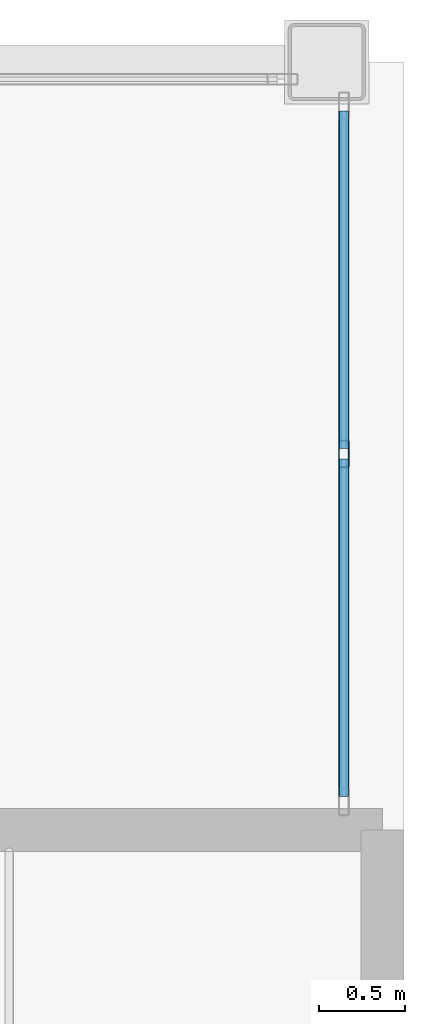
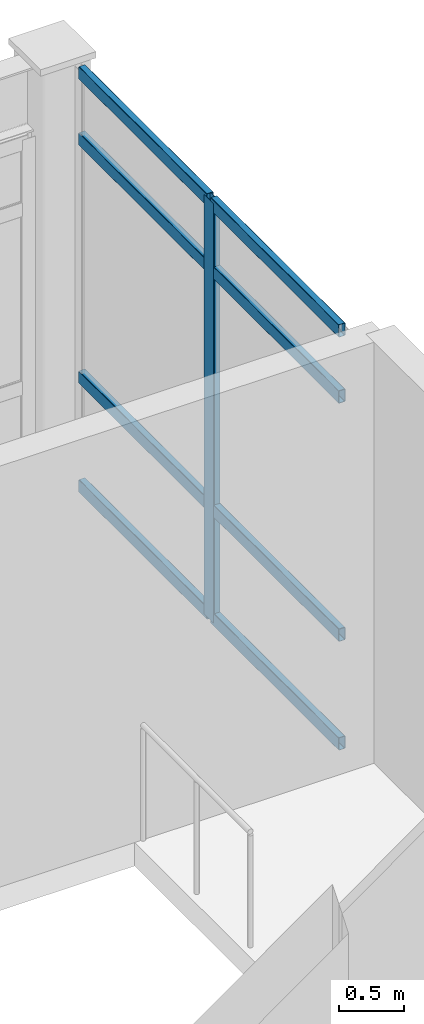
# One storey, part 24 of 34: 9 members, 1 element without a shape of its own.
"""IFC4 building model written with IfcOpenShell, lengths in metres."""

from ifc_helpers import new_model, si_unit, direction, frame, origin, origin_2d, place, context, subcontext, project, spatial, hollow_rectangle, extrude, material, layer, layer_set, material_profile, profile_set, type_object, element, aggregate, save


model = new_model("IFC4")

# Units and contexts
model_context = context("Model", 3, precision=1e-05, world=origin(), true_north=direction((0.0, 1.0)))
body_context = subcontext(model_context, "Body", "Model", "MODEL_VIEW")
ifc_project = project(units=[si_unit("LENGTHUNIT", "METRE"), si_unit("AREAUNIT", "SQUARE_METRE"), si_unit("VOLUMEUNIT", "CUBIC_METRE"), si_unit("PLANEANGLEUNIT", "RADIAN"), si_unit("MASSUNIT", "GRAM", prefix="KILO")], contexts=[model_context])

# Site, building, storey
site_placement = place(None, origin())
site = spatial("IfcSite", under=ifc_project, at=site_placement, CompositionType="ELEMENT")
building_placement = place(site_placement, origin())
building = spatial("IfcBuilding", under=site, at=building_placement, Name="Kazehara Bluff Congress Hotel", CompositionType="ELEMENT")
storey_placement = place(building_placement, frame((0.0, 0.0, 46.199951171875)))
storey = spatial("IfcBuildingStorey", under=building, at=storey_placement, Name="L11", CompositionType="ELEMENT", Elevation=46.199951171875)

# Curtain wall, members
ifc_material_1 = material(Name="Anodised aluminium", Category="aluminium")
ifc_layer = layer(ifc_material_1, 0.159912109375)
ifc_layer_set = layer_set([ifc_layer], Name="Anodised aluminium")
curtain_wall_type = type_object("IfcCurtainWallType", Name="TP-CW-210", PredefinedType="NOTDEFINED", material=ifc_layer_set)
curtain_wall_placement = place(storey_placement, origin())
curtain_wall = element("IfcCurtainWall", 1, at=curtain_wall_placement, inside=storey, type_object=curtain_wall_type, Name="L11 curtain wall CW-210 CW-ENC-V5-L11-16765-7862", PredefinedType="NOTDEFINED")
ifc_material_2 = material(Name="Anodised aluminium", Category="aluminium")
ifc_material_profile_1 = material_profile(ifc_material_2, hollow_rectangle(XDim=0.06005859375, YDim=0.159912109375, WallThickness=0.00390625, InnerFilletRadius=0.00390625, OuterFilletRadius=0.008056640625, at=origin_2d()))
ifc_profile_set_1 = profile_set([ifc_material_profile_1], Name="Anodised aluminium")
member_type_1 = type_object("IfcMemberType", Name="TP-CWM-01", PredefinedType="MULLION", material=ifc_profile_set_1)
member_1_placement = place(storey_placement, frame((167.64990234375, 78.617431640625, 0.0), z_axis=(0.0, 0.0, 1.0), x_axis=(1.0, 0.0, 0.0)))
member_1 = element("IfcMember", 2, at=member_1_placement, type_object=member_type_1, Name="CW-210 mullion 2", PredefinedType="MULLION", context=body_context, shape_type="SweptSolid", body=[
    extrude(hollow_rectangle(XDim=0.06005859375, YDim=0.159912109375, WallThickness=0.00390625, InnerFilletRadius=0.00390625, OuterFilletRadius=0.008056640625, at=origin_2d()), origin(), (0.0, 0.0, 1.0), 3.93505859375),
])
ifc_material_3 = material(Name="Anodised aluminium", Category="aluminium")
ifc_material_profile_2 = material_profile(ifc_material_3, hollow_rectangle(XDim=0.06005859375, YDim=0.1201171875, WallThickness=0.00390625, InnerFilletRadius=0.00390625, OuterFilletRadius=0.008056640625, at=origin_2d()))
ifc_profile_set_2 = profile_set([ifc_material_profile_2], Name="Anodised aluminium")
member_type_2 = type_object("IfcMemberType", Name="TP-CWT-01", PredefinedType="USERDEFINED", material=ifc_profile_set_2)
member_2_placement = place(storey_placement, frame((167.64990234375, 80.614990234375, 0.030029296875), z_axis=(0.0, -1.0, 0.0), x_axis=(1.0, 0.0, 0.0)))
member_2 = element("IfcMember", 3, at=member_2_placement, type_object=member_type_2, Name="CW-210 transom 1.1", ObjectType="TRANSOM", PredefinedType="USERDEFINED", context=body_context, shape_type="SweptSolid", body=[
    extrude(hollow_rectangle(XDim=0.06005859375, YDim=0.1201171875, WallThickness=0.00390625, InnerFilletRadius=0.00390625, OuterFilletRadius=0.008056640625, at=origin_2d()), origin(), (0.0, 0.0, 1.0), 1.967529296875),
])
member_3_placement = place(storey_placement, frame((167.64990234375, 80.614990234375, 1.050048828125), z_axis=(0.0, -1.0, 0.0), x_axis=(1.0, 0.0, 0.0)))
member_3 = element("IfcMember", 4, at=member_3_placement, type_object=member_type_2, Name="CW-210 transom 1.2", ObjectType="TRANSOM", PredefinedType="USERDEFINED", context=body_context, shape_type="SweptSolid", body=[
    extrude(hollow_rectangle(XDim=0.06005859375, YDim=0.1201171875, WallThickness=0.00390625, InnerFilletRadius=0.00390625, OuterFilletRadius=0.008056640625, at=origin_2d()), origin(), (0.0, 0.0, 1.0), 1.967529296875),
])
member_4_placement = place(storey_placement, frame((167.64990234375, 80.614990234375, 3.28515625), z_axis=(0.0, -1.0, 0.0), x_axis=(1.0, 0.0, 0.0)))
member_4 = element("IfcMember", 5, at=member_4_placement, type_object=member_type_2, Name="CW-210 transom 1.3", ObjectType="TRANSOM", PredefinedType="USERDEFINED", context=body_context, shape_type="SweptSolid", body=[
    extrude(hollow_rectangle(XDim=0.06005859375, YDim=0.1201171875, WallThickness=0.00390625, InnerFilletRadius=0.00390625, OuterFilletRadius=0.008056640625, at=origin_2d()), origin(), (0.0, 0.0, 1.0), 1.967529296875),
])
member_5_placement = place(storey_placement, frame((167.64990234375, 80.614990234375, 3.905029296875), z_axis=(0.0, -1.0, 0.0), x_axis=(1.0, 0.0, 0.0)))
member_5 = element("IfcMember", 6, at=member_5_placement, type_object=member_type_2, Name="CW-210 transom 1.4", ObjectType="TRANSOM", PredefinedType="USERDEFINED", context=body_context, shape_type="SweptSolid", body=[
    extrude(hollow_rectangle(XDim=0.06005859375, YDim=0.1201171875, WallThickness=0.00390625, InnerFilletRadius=0.00390625, OuterFilletRadius=0.008056640625, at=origin_2d()), origin(), (0.0, 0.0, 1.0), 1.967529296875),
])
member_6_placement = place(storey_placement, frame((167.64990234375, 78.58740234375, 0.030029296875), z_axis=(0.0, -1.0, 0.0), x_axis=(1.0, 0.0, 0.0)))
member_6 = element("IfcMember", 7, at=member_6_placement, type_object=member_type_2, Name="CW-210 transom 2.1", ObjectType="TRANSOM", PredefinedType="USERDEFINED", context=body_context, shape_type="SweptSolid", body=[
    extrude(hollow_rectangle(XDim=0.06005859375, YDim=0.1201171875, WallThickness=0.00390625, InnerFilletRadius=0.00390625, OuterFilletRadius=0.008056640625, at=origin_2d()), origin(), (0.0, 0.0, 1.0), 1.96728515625),
])
member_7_placement = place(storey_placement, frame((167.64990234375, 78.58740234375, 1.050048828125), z_axis=(0.0, -1.0, 0.0), x_axis=(1.0, 0.0, 0.0)))
member_7 = element("IfcMember", 8, at=member_7_placement, type_object=member_type_2, Name="CW-210 transom 2.2", ObjectType="TRANSOM", PredefinedType="USERDEFINED", context=body_context, shape_type="SweptSolid", body=[
    extrude(hollow_rectangle(XDim=0.06005859375, YDim=0.1201171875, WallThickness=0.00390625, InnerFilletRadius=0.00390625, OuterFilletRadius=0.008056640625, at=origin_2d()), origin(), (0.0, 0.0, 1.0), 1.96728515625),
])
member_8_placement = place(storey_placement, frame((167.64990234375, 78.58740234375, 3.28515625), z_axis=(0.0, -1.0, 0.0), x_axis=(1.0, 0.0, 0.0)))
member_8 = element("IfcMember", 9, at=member_8_placement, type_object=member_type_2, Name="CW-210 transom 2.3", ObjectType="TRANSOM", PredefinedType="USERDEFINED", context=body_context, shape_type="SweptSolid", body=[
    extrude(hollow_rectangle(XDim=0.06005859375, YDim=0.1201171875, WallThickness=0.00390625, InnerFilletRadius=0.00390625, OuterFilletRadius=0.008056640625, at=origin_2d()), origin(), (0.0, 0.0, 1.0), 1.96728515625),
])
member_9_placement = place(storey_placement, frame((167.64990234375, 78.58740234375, 3.905029296875), z_axis=(0.0, -1.0, 0.0), x_axis=(1.0, 0.0, 0.0)))
member_9 = element("IfcMember", 10, at=member_9_placement, type_object=member_type_2, Name="CW-210 transom 2.4", ObjectType="TRANSOM", PredefinedType="USERDEFINED", context=body_context, shape_type="SweptSolid", body=[
    extrude(hollow_rectangle(XDim=0.06005859375, YDim=0.1201171875, WallThickness=0.00390625, InnerFilletRadius=0.00390625, OuterFilletRadius=0.008056640625, at=origin_2d()), origin(), (0.0, 0.0, 1.0), 1.96728515625),
])
aggregate(curtain_wall, [member_1, member_2, member_3, member_4, member_5, member_6, member_7, member_8, member_9])

save(model, "model.ifc")
